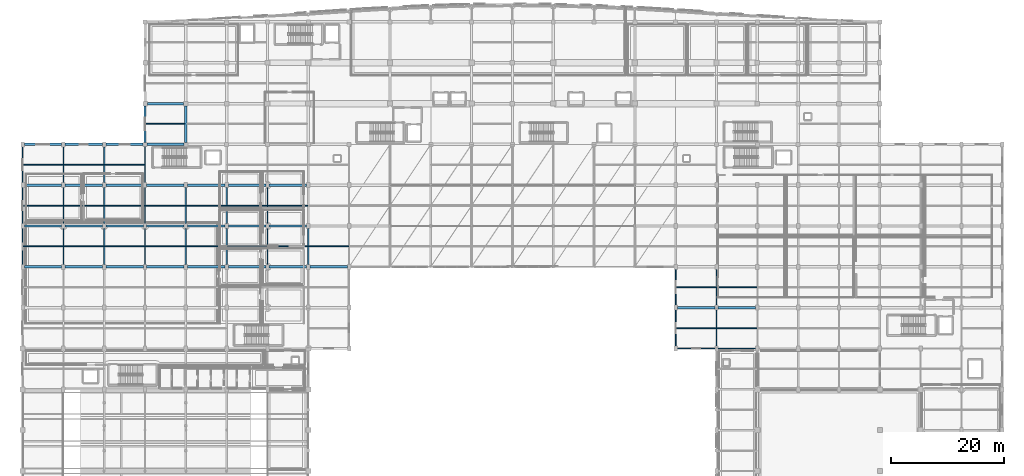
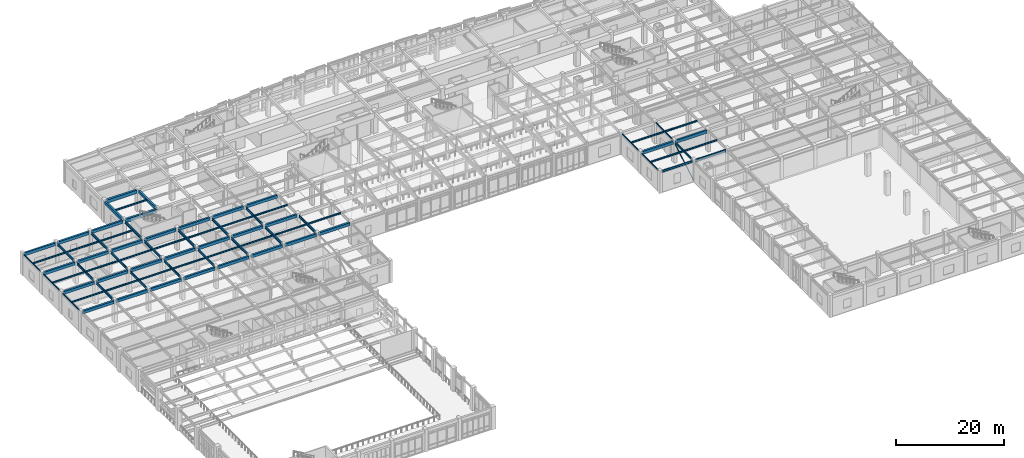
# One storey, part 24 of 117: 79 beams, 1 member.
"""IFC4 building model written with IfcOpenShell, lengths in metres."""

import ifcopenshell
import ifcopenshell.guid

model = None  # the IFC model being written
_history = None  # IfcOwnerHistory: only IFC2X3 demands one
_inside = {}  # id of a spatial element -> (the spatial element, [elements in it])
_under = {}  # id of a project, library or spatial element -> (it, [spatial elements below it])
_declared = {}  # id of a project -> (the project, [libraries it declares])
_typed = {}  # id of a type object -> (the type object, [elements of that type])
_made_of = {}  # id of a material, layer set ... -> (it, [elements and type objects made of it])


def new_model(schema):
    """Start an empty IFC model of exactly this schema.

    Asked for "IFC4X3", IfcOpenShell would pick the latest addendum, in which some entities
    have other attributes; the version numbers below select the first issue.
    IFC2X3 requires an IfcOwnerHistory on every rooted entity: one is made here for all.
    """
    global model, _history
    if schema == "IFC4X3":
        model = ifcopenshell.file(schema_version=(4, 3, 0, 0))
    else:
        model = ifcopenshell.file(schema=schema)
    _inside.clear()
    _under.clear()
    _declared.clear()
    _typed.clear()
    _made_of.clear()
    _history = None
    if model.schema == "IFC2X3":
        org = make("IfcOrganization", Name="unknown")
        user = make(
            "IfcPersonAndOrganization",
            ThePerson=make("IfcPerson", FamilyName="unknown"),
            TheOrganization=org,
        )
        app = make(
            "IfcApplication",
            ApplicationDeveloper=org,
            Version="unknown",
            ApplicationFullName="unknown",
            ApplicationIdentifier="unknown",
        )
        _history = make(
            "IfcOwnerHistory",
            OwningUser=user,
            OwningApplication=app,
            ChangeAction="ADDED",
            CreationDate=0,
        )
    return model


def make(cls, **values):
    """One entity of the class cls with the attributes given. An attribute that is None is left unset."""
    return model.create_entity(
        cls, **{name: value for name, value in values.items() if value is not None}
    )


def rooted(cls, **values):
    """An entity with a GlobalId (a new one), such as an element, a storey or a relation."""
    return make(cls, GlobalId=ifcopenshell.guid.new(), OwnerHistory=_history, **values)


def si_unit(unit_type, name, prefix=None):
    """IfcSIUnit, for example si_unit("LENGTHUNIT", "METRE", prefix="MILLI")."""
    return make("IfcSIUnit", UnitType=unit_type, Prefix=prefix, Name=name)


def assignment(units):
    """IfcUnitAssignment: the units of a project."""
    return None if units is None else make("IfcUnitAssignment", Units=units)


def point(xyz):
    """IfcCartesianPoint."""
    return None if xyz is None else make("IfcCartesianPoint", Coordinates=xyz)


def direction(xyz):
    """IfcDirection."""
    return None if xyz is None else make("IfcDirection", DirectionRatios=xyz)


def frame(location, z_axis=None, x_axis=None):
    """IfcAxis2Placement3D, a coordinate frame: its origin and axes. An axis left out is left unset."""
    return make(
        "IfcAxis2Placement3D",
        Location=point(location),
        Axis=direction(z_axis),
        RefDirection=direction(x_axis),
    )


def frame_2d(location, x_axis=None):
    """IfcAxis2Placement2D, a coordinate frame in the plane: its origin and x axis."""
    return make(
        "IfcAxis2Placement2D", Location=point(location), RefDirection=direction(x_axis)
    )


def origin():
    """The frame at (0, 0, 0) with its axes left unset."""
    return frame((0.0, 0.0, 0.0))


def origin_2d():
    """The frame at (0, 0) in the plane with its x axis left unset."""
    return frame_2d((0.0, 0.0))


def place(relative_to, where):
    """IfcLocalPlacement: puts the frame where relative to a parent placement (None: the world)."""
    return make(
        "IfcLocalPlacement", PlacementRelTo=relative_to, RelativePlacement=where
    )


def context(
    kind, dimensions, precision=None, world=None, true_north=None, identifier=None
):
    """IfcGeometricRepresentationContext, for example the 3D "Model" context."""
    return make(
        "IfcGeometricRepresentationContext",
        ContextIdentifier=identifier,
        ContextType=kind,
        CoordinateSpaceDimension=dimensions,
        Precision=precision,
        WorldCoordinateSystem=world,
        TrueNorth=true_north,
    )


def subcontext(parent, identifier, kind, view, scale=None):
    """IfcGeometricRepresentationSubContext, for example "Body" below "Model"."""
    return make(
        "IfcGeometricRepresentationSubContext",
        ContextIdentifier=identifier,
        ContextType=kind,
        ParentContext=parent,
        TargetScale=scale,
        TargetView=view,
    )


def project(units=None, contexts=None):
    """IfcProject with its units and contexts."""
    return rooted(
        "IfcProject",
        Name="project",
        RepresentationContexts=contexts,
        UnitsInContext=assignment(units),
    )


def spatial(cls, under=None, at=None, **own):
    """A site, building, storey or space (cls), placed at a placement, below another one or the project."""
    s = rooted(cls, ObjectPlacement=at, **own)
    if under is not None:
        _under.setdefault(under.id(), (under, []))[1].append(s)
    return s


def profile(cls, at=None, kind="AREA", **sizes):
    """A parametric profile (cls). Its sizes go by their IFC names, for example OverallWidth=200.0."""
    return make(cls, ProfileType=kind, Position=at, **sizes)


def rectangle(**sizes):
    """IfcRectangleProfileDef."""
    return profile("IfcRectangleProfileDef", **sizes)


def hollow_rectangle(**sizes):
    """IfcRectangleHollowProfileDef."""
    return profile("IfcRectangleHollowProfileDef", **sizes)


def i_section(**sizes):
    """IfcIShapeProfileDef."""
    return profile("IfcIShapeProfileDef", **sizes)


def extrude(swept, where, along, depth):
    """IfcExtrudedAreaSolid: the profile swept, set in the frame where, extruded along a direction by depth."""
    return make(
        "IfcExtrudedAreaSolid",
        SweptArea=swept,
        Position=where,
        ExtrudedDirection=direction(along),
        Depth=depth,
    )


def shape(context_of_items, identifier, shape_type, items):
    """IfcShapeRepresentation: the items that make up one representation, for example the "Body"."""
    return make(
        "IfcShapeRepresentation",
        ContextOfItems=context_of_items,
        RepresentationIdentifier=identifier,
        RepresentationType=shape_type,
        Items=items,
    )


def material(Name=None, Category=None):
    """IfcMaterial."""
    return make("IfcMaterial", Name=Name, Category=Category)


def material_profile(
    of_material, cross_section, Name=None, Category=None, Priority=None
):
    """IfcMaterialProfile: a cross section and its material."""
    return make(
        "IfcMaterialProfile",
        Name=Name,
        Material=of_material,
        Profile=cross_section,
        Priority=Priority,
        Category=Category,
    )


def profile_set(profiles, Name=None, composite=None):
    """IfcMaterialProfileSet."""
    return make(
        "IfcMaterialProfileSet",
        Name=Name,
        MaterialProfiles=profiles,
        CompositeProfile=composite,
    )


def made_of(thing, what):
    """Note that an element or type object is made of a material, layer set ...; save() writes the relation."""
    if what is not None:
        _made_of.setdefault(what.id(), (what, []))[1].append(thing)
    return thing


def type_object(cls, material=None, **own):
    """A type object (cls), such as IfcWallType, which elements share."""
    return made_of(rooted(cls, **own), material)


def element(
    cls,
    number,
    at=None,
    inside=None,
    cuts=None,
    type_object=None,
    material=None,
    context=None,
    identifier="Body",
    shape_type=None,
    held_by="IfcProductDefinitionShape",
    body=None,
    shapes=None,
    **own,
):
    """One element of the class cls, such as IfcWall. Its Tag is "e" and its number.

    at: its placement. inside: the storey or other place that contains it. cuts: it is an
    opening in that element (IfcRelVoidsElement). A single representation is given by context,
    identifier, shape_type and body (its items); several are given by shapes. held_by: the class
    of the entity that holds the representations. save() writes the other relations.
    """
    e = rooted(cls, Tag="e%d" % number, ObjectPlacement=at, **own)
    if body is not None:
        shapes = [shape(context, identifier, shape_type, body)]
    if shapes is not None:
        e.Representation = make(held_by, Representations=shapes)
    if inside is not None:
        _inside.setdefault(inside.id(), (inside, []))[1].append(e)
    if cuts is not None:
        rooted(
            "IfcRelVoidsElement", RelatingBuildingElement=cuts, RelatedOpeningElement=e
        )
    if type_object is not None:
        _typed.setdefault(type_object.id(), (type_object, []))[1].append(e)
    return made_of(e, material)


def aggregate(whole, parts):
    """IfcRelAggregates: a whole, such as a stair, and the parts it consists of."""
    return rooted("IfcRelAggregates", RelatingObject=whole, RelatedObjects=parts)


def save(model, path):
    """Write the relations noted so far, then the file.

    IfcRelAggregates (storeys below a building ...), IfcRelContainedInSpatialStructure (elements
    in a storey), IfcRelDefinesByType, IfcRelAssociatesMaterial and IfcRelDeclares: one each for
    every whole, place, type object, material and project.
    """
    for whole, parts in _under.values():
        aggregate(whole, parts)
    for where, things in _inside.values():
        rooted(
            "IfcRelContainedInSpatialStructure",
            RelatedElements=things,
            RelatingStructure=where,
        )
    for kind, things in _typed.values():
        rooted("IfcRelDefinesByType", RelatedObjects=things, RelatingType=kind)
    for what, things in _made_of.values():
        rooted("IfcRelAssociatesMaterial", RelatedObjects=things, RelatingMaterial=what)
    for by, libraries in _declared.values():
        rooted("IfcRelDeclares", RelatingContext=by, RelatedDefinitions=libraries)
    model.write(path)


model = new_model("IFC4")

# Units and contexts
model_context = context("Model", 3, precision=1e-05, world=origin(), true_north=direction((0.0, 1.0)))
body_context = subcontext(model_context, "Body", "Model", "MODEL_VIEW")
ifc_project = project(units=[si_unit("LENGTHUNIT", "METRE"), si_unit("AREAUNIT", "SQUARE_METRE"), si_unit("VOLUMEUNIT", "CUBIC_METRE"), si_unit("PLANEANGLEUNIT", "RADIAN"), si_unit("MASSUNIT", "GRAM", prefix="KILO")], contexts=[model_context])

# Site, building, storey
site_placement = place(None, origin())
site = spatial("IfcSite", under=ifc_project, at=site_placement, CompositionType="ELEMENT")
building_placement = place(site_placement, origin())
building = spatial("IfcBuilding", under=site, at=building_placement, Name="Carrowvane Square Congress Hotel", CompositionType="ELEMENT")
storey_placement = place(building_placement, frame((0.0, 0.0, 5.39990234375)))
storey = spatial("IfcBuildingStorey", under=building, at=storey_placement, Name="L01", CompositionType="ELEMENT", Elevation=5.39990234375)

# Beams
ifc_material_1 = material(Name="Concrete C35/45", Category="concrete")
ifc_material_profile_1 = material_profile(ifc_material_1, rectangle(XDim=0.39990234375, YDim=0.64990234375, at=origin_2d()), Name="RC 400x650")
ifc_profile_set_1 = profile_set([ifc_material_profile_1], Name="Concrete C35/45")
beam_type_1 = type_object("IfcBeamType", Name="BM-RC-400x650", PredefinedType="BEAM", material=ifc_profile_set_1)
for number, where, z_axis, x_axis, name in (
    (1, (127.10009765625, 63.0, 4.455078125), (1.0, 0.0, 0.0), (0.0, 1.0, 0.0), "L02 girder J/17-18"),
    (2, (134.300048828125, 63.0, 4.455078125), (1.0, 0.0, 0.0), (0.0, 1.0, 0.0), "L02 girder J/18-19"),
):
    element("IfcBeam", number, at=place(storey_placement, frame(where, z_axis=z_axis, x_axis=x_axis)), inside=storey, type_object=beam_type_1, Name=name, PredefinedType="BEAM", context=body_context, shape_type="SweptSolid", body=[
        extrude(rectangle(XDim=0.39990234375, YDim=0.64990234375, at=origin_2d()), origin(), (0.0, 0.0, 1.0), 6.599853515625),
    ])
beam_1_placement = place(storey_placement, frame((11.89990234375, 70.199951171875, 4.455078125), z_axis=(1.0, 0.0, 0.0), x_axis=(0.0, 1.0, 0.0)))
element("IfcBeam", 3, at=beam_1_placement, inside=storey, type_object=beam_type_1, Name="L02 girder K/1-2", PredefinedType="BEAM", context=body_context, shape_type="SweptSolid", body=[
    extrude(rectangle(XDim=0.39990234375, YDim=0.64990234375, at=origin_2d()), origin(), (0.0, 0.0, 1.0), 6.60009765625),
])
for number, where, z_axis, x_axis, name in (
    (4, (19.10009765625, 70.199951171875, 4.455078125), (1.0, 0.0, 0.0), (0.0, 1.0, 0.0), "L02 girder K/2-3"),
    (5, (26.300048828125, 70.199951171875, 4.455078125), (1.0, 0.0, 0.0), (0.0, 1.0, 0.0), "L02 girder K/3-4"),
):
    element("IfcBeam", number, at=place(storey_placement, frame(where, z_axis=z_axis, x_axis=x_axis)), inside=storey, type_object=beam_type_1, Name=name, PredefinedType="BEAM", context=body_context, shape_type="SweptSolid", body=[
        extrude(rectangle(XDim=0.39990234375, YDim=0.64990234375, at=origin_2d()), origin(), (0.0, 0.0, 1.0), 6.599853515625),
    ])
for number, where, z_axis, x_axis, name in (
    (6, (33.5, 70.199951171875, 4.455078125), (1.0, 0.0, 0.0), (0.0, 1.0, 0.0), "L02 girder K/4-5"),
    (7, (40.699951171875, 70.199951171875, 4.455078125), (1.0, 0.0, 0.0), (0.0, 1.0, 0.0), "L02 girder K/5-6"),
    (8, (47.89990234375, 70.199951171875, 4.455078125), (1.0, 0.0, 0.0), (0.0, 1.0, 0.0), "L02 girder K/6-7"),
):
    element("IfcBeam", number, at=place(storey_placement, frame(where, z_axis=z_axis, x_axis=x_axis)), inside=storey, type_object=beam_type_1, Name=name, PredefinedType="BEAM", context=body_context, shape_type="SweptSolid", body=[
        extrude(rectangle(XDim=0.39990234375, YDim=0.64990234375, at=origin_2d()), origin(), (0.0, 0.0, 1.0), 6.60009765625),
    ])
for number, where, z_axis, x_axis, name in (
    (9, (55.10009765625, 70.199951171875, 4.455078125), (1.0, 0.0, 0.0), (0.0, 1.0, 0.0), "L02 girder K/7-8"),
    (10, (62.300048828125, 70.199951171875, 4.455078125), (1.0, 0.0, 0.0), (0.0, 1.0, 0.0), "L02 girder K/8-9"),
):
    element("IfcBeam", number, at=place(storey_placement, frame(where, z_axis=z_axis, x_axis=x_axis)), inside=storey, type_object=beam_type_1, Name=name, PredefinedType="BEAM", context=body_context, shape_type="SweptSolid", body=[
        extrude(rectangle(XDim=0.39990234375, YDim=0.64990234375, at=origin_2d()), origin(), (0.0, 0.0, 1.0), 6.599853515625),
    ])
beam_2_placement = place(storey_placement, frame((11.89990234375, 77.39990234375, 4.455078125), z_axis=(1.0, 0.0, 0.0), x_axis=(0.0, 1.0, 0.0)))
element("IfcBeam", 11, at=beam_2_placement, inside=storey, type_object=beam_type_1, Name="L02 girder L/1-2", PredefinedType="BEAM", context=body_context, shape_type="SweptSolid", body=[
    extrude(rectangle(XDim=0.39990234375, YDim=0.64990234375, at=origin_2d()), origin(), (0.0, 0.0, 1.0), 6.60009765625),
])
for number, where, z_axis, x_axis, name in (
    (12, (19.10009765625, 77.39990234375, 4.455078125), (1.0, 0.0, 0.0), (0.0, 1.0, 0.0), "L02 girder L/2-3"),
    (13, (26.300048828125, 77.39990234375, 4.455078125), (1.0, 0.0, 0.0), (0.0, 1.0, 0.0), "L02 girder L/3-4"),
):
    element("IfcBeam", number, at=place(storey_placement, frame(where, z_axis=z_axis, x_axis=x_axis)), inside=storey, type_object=beam_type_1, Name=name, PredefinedType="BEAM", context=body_context, shape_type="SweptSolid", body=[
        extrude(rectangle(XDim=0.39990234375, YDim=0.64990234375, at=origin_2d()), origin(), (0.0, 0.0, 1.0), 6.599853515625),
    ])
for number, where, z_axis, x_axis, name in (
    (14, (33.5, 77.39990234375, 4.455078125), (1.0, 0.0, 0.0), (0.0, 1.0, 0.0), "L02 girder L/4-5"),
    (15, (40.699951171875, 77.39990234375, 4.455078125), (1.0, 0.0, 0.0), (0.0, 1.0, 0.0), "L02 girder L/5-6"),
    (16, (47.89990234375, 77.39990234375, 4.455078125), (1.0, 0.0, 0.0), (0.0, 1.0, 0.0), "L02 girder L/6-7"),
):
    element("IfcBeam", number, at=place(storey_placement, frame(where, z_axis=z_axis, x_axis=x_axis)), inside=storey, type_object=beam_type_1, Name=name, PredefinedType="BEAM", context=body_context, shape_type="SweptSolid", body=[
        extrude(rectangle(XDim=0.39990234375, YDim=0.64990234375, at=origin_2d()), origin(), (0.0, 0.0, 1.0), 6.60009765625),
    ])
beam_3_placement = place(storey_placement, frame((55.10009765625, 77.39990234375, 4.455078125), z_axis=(1.0, 0.0, 0.0), x_axis=(0.0, 1.0, 0.0)))
element("IfcBeam", 17, at=beam_3_placement, inside=storey, type_object=beam_type_1, Name="L02 girder L/7-8", PredefinedType="BEAM", context=body_context, shape_type="SweptSolid", body=[
    extrude(rectangle(XDim=0.39990234375, YDim=0.64990234375, at=origin_2d()), origin(), (0.0, 0.0, 1.0), 6.599853515625),
])
beam_4_placement = place(storey_placement, frame((11.89990234375, 84.60009765625, 4.455078125), z_axis=(1.0, 0.0, 0.0), x_axis=(0.0, 1.0, 0.0)))
element("IfcBeam", 18, at=beam_4_placement, inside=storey, type_object=beam_type_1, Name="L02 girder M/1-2", PredefinedType="BEAM", context=body_context, shape_type="SweptSolid", body=[
    extrude(rectangle(XDim=0.39990234375, YDim=0.64990234375, at=origin_2d()), origin(), (0.0, 0.0, 1.0), 6.60009765625),
])
for number, where, z_axis, x_axis, name in (
    (19, (19.10009765625, 84.60009765625, 4.455078125), (1.0, 0.0, 0.0), (0.0, 1.0, 0.0), "L02 girder M/2-3"),
    (20, (26.300048828125, 84.60009765625, 4.455078125), (1.0, 0.0, 0.0), (0.0, 1.0, 0.0), "L02 girder M/3-4"),
):
    element("IfcBeam", number, at=place(storey_placement, frame(where, z_axis=z_axis, x_axis=x_axis)), inside=storey, type_object=beam_type_1, Name=name, PredefinedType="BEAM", context=body_context, shape_type="SweptSolid", body=[
        extrude(rectangle(XDim=0.39990234375, YDim=0.64990234375, at=origin_2d()), origin(), (0.0, 0.0, 1.0), 6.599853515625),
    ])
for number, where, z_axis, x_axis, name in (
    (21, (33.5, 84.60009765625, 4.455078125), (1.0, 0.0, 0.0), (0.0, 1.0, 0.0), "L02 girder M/4-5"),
    (22, (40.699951171875, 84.60009765625, 4.455078125), (1.0, 0.0, 0.0), (0.0, 1.0, 0.0), "L02 girder M/5-6"),
    (23, (47.89990234375, 84.60009765625, 4.455078125), (1.0, 0.0, 0.0), (0.0, 1.0, 0.0), "L02 girder M/6-7"),
):
    element("IfcBeam", number, at=place(storey_placement, frame(where, z_axis=z_axis, x_axis=x_axis)), inside=storey, type_object=beam_type_1, Name=name, PredefinedType="BEAM", context=body_context, shape_type="SweptSolid", body=[
        extrude(rectangle(XDim=0.39990234375, YDim=0.64990234375, at=origin_2d()), origin(), (0.0, 0.0, 1.0), 6.60009765625),
    ])
beam_5_placement = place(storey_placement, frame((55.10009765625, 84.60009765625, 4.455078125), z_axis=(1.0, 0.0, 0.0), x_axis=(0.0, 1.0, 0.0)))
element("IfcBeam", 24, at=beam_5_placement, inside=storey, type_object=beam_type_1, Name="L02 girder M/7-8", PredefinedType="BEAM", context=body_context, shape_type="SweptSolid", body=[
    extrude(rectangle(XDim=0.39990234375, YDim=0.64990234375, at=origin_2d()), origin(), (0.0, 0.0, 1.0), 6.599853515625),
])
beam_6_placement = place(storey_placement, frame((11.89990234375, 91.800048828125, 4.455078125), z_axis=(1.0, 0.0, 0.0), x_axis=(0.0, 1.0, 0.0)))
element("IfcBeam", 25, at=beam_6_placement, inside=storey, type_object=beam_type_1, Name="L02 girder N/1-2", PredefinedType="BEAM", context=body_context, shape_type="SweptSolid", body=[
    extrude(rectangle(XDim=0.39990234375, YDim=0.64990234375, at=origin_2d()), origin(), (0.0, 0.0, 1.0), 6.60009765625),
])
beam_7_placement = place(storey_placement, frame((19.10009765625, 91.800048828125, 4.455078125), z_axis=(1.0, 0.0, 0.0), x_axis=(0.0, 1.0, 0.0)))
element("IfcBeam", 26, at=beam_7_placement, inside=storey, type_object=beam_type_1, Name="L02 girder N/2-3", PredefinedType="BEAM", context=body_context, shape_type="SweptSolid", body=[
    extrude(rectangle(XDim=0.39990234375, YDim=0.64990234375, at=origin_2d()), origin(), (0.0, 0.0, 1.0), 6.599853515625),
])
beam_8_placement = place(storey_placement, frame((26.300048828125, 91.800048828125, 4.455078125), z_axis=(1.0, 0.0, 0.0), x_axis=(0.0, 1.0, 0.0)))
element("IfcBeam", 27, at=beam_8_placement, inside=storey, type_object=beam_type_1, Name="L02 girder N/3-4", PredefinedType="BEAM", context=body_context, shape_type="SweptSolid", body=[
    extrude(rectangle(XDim=0.39990234375, YDim=0.64990234375, at=origin_2d()), origin(), (0.0, 0.0, 1.0), 6.550048828125),
])
for number, where, z_axis, x_axis, name in (
    (28, (33.199951171875, 92.14990234375, 4.455078125), (0.0, 1.0, 0.0), (-1.0, 0.0, 0.0), "L02 girder 4/N-P"),
    (29, (40.39990234375, 92.14990234375, 4.455078125), (0.0, 1.0, 0.0), (-1.0, 0.0, 0.0), "L02 girder 5/N-P"),
):
    element("IfcBeam", number, at=place(storey_placement, frame(where, z_axis=z_axis, x_axis=x_axis)), inside=storey, type_object=beam_type_1, Name=name, PredefinedType="BEAM", context=body_context, shape_type="SweptSolid", body=[
        extrude(rectangle(XDim=0.39990234375, YDim=0.64990234375, at=origin_2d()), origin(), (0.0, 0.0, 1.0), 6.4501953125),
    ])
ifc_material_2 = material(Name="Concrete C35/45", Category="concrete")
ifc_material_profile_2 = material_profile(ifc_material_2, rectangle(XDim=0.449951171875, YDim=0.75, at=origin_2d()), Name="RC 450x750")
ifc_profile_set_2 = profile_set([ifc_material_profile_2], Name="Concrete C35/45")
beam_type_2 = type_object("IfcBeamType", Name="BM-RC-450x750", PredefinedType="USERDEFINED", material=ifc_profile_set_2)
beam_9_placement = place(storey_placement, frame((33.550048828125, 91.800048828125, 4.405029296875), z_axis=(1.0, 0.0, 0.0), x_axis=(0.0, 1.0, 0.0)))
element("IfcBeam", 30, at=beam_9_placement, inside=storey, type_object=beam_type_2, Name="L02 girder N/4-5", ObjectType="GIRDER", PredefinedType="USERDEFINED", context=body_context, shape_type="SweptSolid", body=[
    extrude(rectangle(XDim=0.449951171875, YDim=0.75, at=origin_2d()), origin(), (0.0, 0.0, 1.0), 6.5),
])
beam_10_placement = place(storey_placement, frame((33.60009765625, 99.0, 4.405029296875), z_axis=(1.0, 0.0, 0.0), x_axis=(0.0, 1.0, 0.0)))
element("IfcBeam", 31, at=beam_10_placement, inside=storey, type_object=beam_type_2, Name="L02 girder P/4-5", ObjectType="GIRDER", PredefinedType="USERDEFINED", context=body_context, shape_type="SweptSolid", body=[
    extrude(rectangle(XDim=0.449951171875, YDim=0.75, at=origin_2d()), origin(), (0.0, 0.0, 1.0), 6.39990234375),
])
ifc_material_3 = material(Name="Steel S355", Category="steel")
ifc_material_profile_3 = material_profile(ifc_material_3, hollow_rectangle(XDim=0.14990234375, YDim=0.25, WallThickness=0.012451171875, at=origin_2d()), Name="RHS 250x150x12.5")
ifc_profile_set_3 = profile_set([ifc_material_profile_3], Name="Steel S355")
beam_type_3 = type_object("IfcBeamType", Name="BM-ST-RHS250", PredefinedType="SPANDREL", material=ifc_profile_set_3)
beam_11_placement = place(storey_placement, frame((11.60009765625, 70.64990234375, 4.655029296875), z_axis=(0.0, 1.0, 0.0), x_axis=(-1.0, 0.0, 0.0)))
element("IfcBeam", 32, at=beam_11_placement, inside=storey, type_object=beam_type_3, Name="L02 girder 1/K-L", PredefinedType="SPANDREL", context=body_context, shape_type="SweptSolid", body=[
    extrude(hollow_rectangle(XDim=0.14990234375, YDim=0.25, WallThickness=0.012451171875, at=origin_2d()), origin(), (0.0, 0.0, 1.0), 6.300048828125),
])
beam_12_placement = place(storey_placement, frame((11.60009765625, 77.85009765625, 4.655029296875), z_axis=(0.0, 1.0, 0.0), x_axis=(-1.0, 0.0, 0.0)))
element("IfcBeam", 33, at=beam_12_placement, inside=storey, type_object=beam_type_3, Name="L02 girder 1/L-M", PredefinedType="SPANDREL", context=body_context, shape_type="SweptSolid", body=[
    extrude(hollow_rectangle(XDim=0.14990234375, YDim=0.25, WallThickness=0.012451171875, at=origin_2d()), origin(), (0.0, 0.0, 1.0), 6.2998046875),
])
for number, where, z_axis, x_axis, name in (
    (34, (11.60009765625, 85.050048828125, 4.655029296875), (0.0, 1.0, 0.0), (-1.0, 0.0, 0.0), "L02 girder 1/M-N"),
    (35, (126.800048828125, 56.25, 4.655029296875), (0.0, 1.0, 0.0), (-1.0, 0.0, 0.0), "L02 girder 17/H-J"),
    (36, (126.800048828125, 63.449951171875, 4.655029296875), (0.0, 1.0, 0.0), (-1.0, 0.0, 0.0), "L02 girder 17/J-K"),
    (37, (134.0, 63.449951171875, 4.655029296875), (0.0, 1.0, 0.0), (-1.0, 0.0, 0.0), "L02 girder 18/J-K"),
):
    element("IfcBeam", number, at=place(storey_placement, frame(where, z_axis=z_axis, x_axis=x_axis)), inside=storey, type_object=beam_type_3, Name=name, PredefinedType="SPANDREL", context=body_context, shape_type="SweptSolid", body=[
        extrude(hollow_rectangle(XDim=0.14990234375, YDim=0.25, WallThickness=0.012451171875, at=origin_2d()), origin(), (0.0, 0.0, 1.0), 6.300048828125),
    ])
ifc_material_4 = material(Name="Steel S355", Category="steel")
ifc_material_profile_4 = material_profile(ifc_material_4, i_section(OverallWidth=0.172119140625, OverallDepth=0.35791015625, WebThickness=0.008056640625, FlangeThickness=0.012939453125, FilletRadius=0.01025390625, at=origin_2d()), Name="UKB 356x171x57")
ifc_profile_set_4 = profile_set([ifc_material_profile_4], Name="Steel S355")
beam_type_4 = type_object("IfcBeamType", Name="BM-ST-UKB356", PredefinedType="JOIST", material=ifc_profile_set_4)
for number, where, z_axis, x_axis, name in (
    (38, (11.675048828125, 73.800048828125, 4.60107421875), (1.0, 0.0, 0.0), (0.0, 1.0, 0.0), "L02 secondary joist 1-2"),
    (39, (11.675048828125, 81.0, 4.60107421875), (1.0, 0.0, 0.0), (0.0, 1.0, 0.0), "L02 secondary joist 1-2"),
    (40, (11.675048828125, 88.199951171875, 4.60107421875), (1.0, 0.0, 0.0), (0.0, 1.0, 0.0), "L02 secondary joist 1-2"),
):
    element("IfcBeam", number, at=place(storey_placement, frame(where, z_axis=z_axis, x_axis=x_axis)), inside=storey, type_object=beam_type_4, Name=name, PredefinedType="JOIST", context=body_context, shape_type="SweptSolid", body=[
        extrude(i_section(OverallWidth=0.172119140625, OverallDepth=0.35791015625, WebThickness=0.008056640625, FlangeThickness=0.012939453125, FilletRadius=0.01025390625, at=origin_2d()), origin(), (0.0, 0.0, 1.0), 7.02001953125),
    ])
for number, where, z_axis, x_axis, name in (
    (41, (18.905029296875, 73.800048828125, 4.60107421875), (1.0, 0.0, 0.0), (0.0, 1.0, 0.0), "L02 secondary joist 2-3"),
    (42, (18.905029296875, 81.0, 4.60107421875), (1.0, 0.0, 0.0), (0.0, 1.0, 0.0), "L02 secondary joist 2-3"),
    (43, (18.905029296875, 88.199951171875, 4.60107421875), (1.0, 0.0, 0.0), (0.0, 1.0, 0.0), "L02 secondary joist 2-3"),
    (44, (26.10498046875, 73.800048828125, 4.60107421875), (1.0, 0.0, 0.0), (0.0, 1.0, 0.0), "L02 secondary joist 3-4"),
    (45, (26.10498046875, 81.0, 4.60107421875), (1.0, 0.0, 0.0), (0.0, 1.0, 0.0), "L02 secondary joist 3-4"),
    (46, (26.10498046875, 88.199951171875, 4.60107421875), (1.0, 0.0, 0.0), (0.0, 1.0, 0.0), "L02 secondary joist 3-4"),
    (47, (33.304931640625, 73.800048828125, 4.60107421875), (1.0, 0.0, 0.0), (0.0, 1.0, 0.0), "L02 secondary joist 4-5"),
    (48, (33.304931640625, 81.0, 4.60107421875), (1.0, 0.0, 0.0), (0.0, 1.0, 0.0), "L02 secondary joist 4-5"),
):
    element("IfcBeam", number, at=place(storey_placement, frame(where, z_axis=z_axis, x_axis=x_axis)), inside=storey, type_object=beam_type_4, Name=name, PredefinedType="JOIST", context=body_context, shape_type="SweptSolid", body=[
        extrude(i_section(OverallWidth=0.172119140625, OverallDepth=0.35791015625, WebThickness=0.008056640625, FlangeThickness=0.012939453125, FilletRadius=0.01025390625, at=origin_2d()), origin(), (0.0, 0.0, 1.0), 6.989990234375),
    ])
beam_13_placement = place(storey_placement, frame((33.39990234375, 95.39990234375, 4.60107421875), z_axis=(1.0, 0.0, 0.0), x_axis=(0.0, 1.0, 0.0)))
element("IfcBeam", 49, at=beam_13_placement, inside=storey, type_object=beam_type_4, Name="L02 secondary joist 4-5", PredefinedType="JOIST", context=body_context, shape_type="SweptSolid", body=[
    extrude(i_section(OverallWidth=0.172119140625, OverallDepth=0.35791015625, WebThickness=0.008056640625, FlangeThickness=0.012939453125, FilletRadius=0.01025390625, at=origin_2d()), origin(), (0.0, 0.0, 1.0), 6.800048828125),
])
for number, where, z_axis, x_axis, name in (
    (50, (40.5048828125, 73.800048828125, 4.60107421875), (1.0, 0.0, 0.0), (0.0, 1.0, 0.0), "L02 secondary joist 5-6"),
    (51, (40.5048828125, 81.0, 4.60107421875), (1.0, 0.0, 0.0), (0.0, 1.0, 0.0), "L02 secondary joist 5-6"),
):
    element("IfcBeam", number, at=place(storey_placement, frame(where, z_axis=z_axis, x_axis=x_axis)), inside=storey, type_object=beam_type_4, Name=name, PredefinedType="JOIST", context=body_context, shape_type="SweptSolid", body=[
        extrude(i_section(OverallWidth=0.172119140625, OverallDepth=0.35791015625, WebThickness=0.008056640625, FlangeThickness=0.012939453125, FilletRadius=0.01025390625, at=origin_2d()), origin(), (0.0, 0.0, 1.0), 6.990234375),
    ])
for number, where, z_axis, x_axis, name in (
    (52, (47.705078125, 73.800048828125, 4.60107421875), (1.0, 0.0, 0.0), (0.0, 1.0, 0.0), "L02 secondary joist 6-7"),
    (53, (47.705078125, 81.0, 4.60107421875), (1.0, 0.0, 0.0), (0.0, 1.0, 0.0), "L02 secondary joist 6-7"),
    (54, (54.905029296875, 73.800048828125, 4.60107421875), (1.0, 0.0, 0.0), (0.0, 1.0, 0.0), "L02 secondary joist 7-8"),
    (55, (54.905029296875, 81.0, 4.60107421875), (1.0, 0.0, 0.0), (0.0, 1.0, 0.0), "L02 secondary joist 7-8"),
    (56, (62.10498046875, 73.800048828125, 4.60107421875), (1.0, 0.0, 0.0), (0.0, 1.0, 0.0), "L02 secondary joist 8-9"),
):
    element("IfcBeam", number, at=place(storey_placement, frame(where, z_axis=z_axis, x_axis=x_axis)), inside=storey, type_object=beam_type_4, Name=name, PredefinedType="JOIST", context=body_context, shape_type="SweptSolid", body=[
        extrude(i_section(OverallWidth=0.172119140625, OverallDepth=0.35791015625, WebThickness=0.008056640625, FlangeThickness=0.012939453125, FilletRadius=0.01025390625, at=origin_2d()), origin(), (0.0, 0.0, 1.0), 6.989990234375),
    ])
beam_14_placement = place(storey_placement, frame((126.875, 59.39990234375, 4.60107421875), z_axis=(1.0, 0.0, 0.0), x_axis=(0.0, 1.0, 0.0)))
element("IfcBeam", 57, at=beam_14_placement, inside=storey, type_object=beam_type_4, Name="L02 secondary joist 17-18", PredefinedType="JOIST", context=body_context, shape_type="SweptSolid", body=[
    extrude(i_section(OverallWidth=0.172119140625, OverallDepth=0.35791015625, WebThickness=0.008056640625, FlangeThickness=0.012939453125, FilletRadius=0.01025390625, at=origin_2d()), origin(), (0.0, 0.0, 1.0), 7.029296875),
])
beam_15_placement = place(storey_placement, frame((126.875, 66.60009765625, 4.60107421875), z_axis=(1.0, 0.0, 0.0), x_axis=(0.0, 1.0, 0.0)))
element("IfcBeam", 58, at=beam_15_placement, inside=storey, type_object=beam_type_4, Name="L02 secondary joist 17-18", PredefinedType="JOIST", context=body_context, shape_type="SweptSolid", body=[
    extrude(i_section(OverallWidth=0.172119140625, OverallDepth=0.35791015625, WebThickness=0.008056640625, FlangeThickness=0.012939453125, FilletRadius=0.01025390625, at=origin_2d()), origin(), (0.0, 0.0, 1.0), 7.050048828125),
])
beam_16_placement = place(storey_placement, frame((134.095703125, 59.39990234375, 4.60107421875), z_axis=(1.0, 0.0, 0.0), x_axis=(0.0, 1.0, 0.0)))
element("IfcBeam", 59, at=beam_16_placement, inside=storey, type_object=beam_type_4, Name="L02 secondary joist 18-19", PredefinedType="JOIST", context=body_context, shape_type="SweptSolid", body=[
    extrude(i_section(OverallWidth=0.172119140625, OverallDepth=0.35791015625, WebThickness=0.008056640625, FlangeThickness=0.012939453125, FilletRadius=0.01025390625, at=origin_2d()), origin(), (0.0, 0.0, 1.0), 6.999267578125),
])
beam_17_placement = place(storey_placement, frame((134.074951171875, 66.60009765625, 4.60107421875), z_axis=(1.0, 0.0, 0.0), x_axis=(0.0, 1.0, 0.0)))
element("IfcBeam", 60, at=beam_17_placement, inside=storey, type_object=beam_type_4, Name="L02 secondary joist 18-19", PredefinedType="JOIST", context=body_context, shape_type="SweptSolid", body=[
    extrude(i_section(OverallWidth=0.172119140625, OverallDepth=0.35791015625, WebThickness=0.008056640625, FlangeThickness=0.012939453125, FilletRadius=0.01025390625, at=origin_2d()), origin(), (0.0, 0.0, 1.0), 7.02001953125),
])
ifc_material_5 = material(Name="Steel S355", Category="steel")
ifc_material_profile_5 = material_profile(ifc_material_5, i_section(OverallWidth=0.19140625, OverallDepth=0.4599609375, WebThickness=0.010009765625, FlangeThickness=0.01611328125, FilletRadius=0.01025390625, at=origin_2d()), Name="UKB 457x191x82")
ifc_profile_set_5 = profile_set([ifc_material_profile_5], Name="Steel S355")
beam_type_5 = type_object("IfcBeamType", Name="BM-ST-UKB457", PredefinedType="SPANDREL", material=ifc_profile_set_5)
beam_18_placement = place(storey_placement, frame((127.10009765625, 55.800048828125, 4.550048828125), z_axis=(1.0, 0.0, 0.0), x_axis=(0.0, 1.0, 0.0)))
element("IfcBeam", 61, at=beam_18_placement, inside=storey, type_object=beam_type_5, Name="L02 girder H/17-18", PredefinedType="SPANDREL", context=body_context, shape_type="SweptSolid", body=[
    extrude(i_section(OverallWidth=0.19140625, OverallDepth=0.4599609375, WebThickness=0.010009765625, FlangeThickness=0.01611328125, FilletRadius=0.01025390625, at=origin_2d()), origin(), (0.0, 0.0, 1.0), 6.599853515625),
])
beam_19_placement = place(storey_placement, frame((134.0, 56.25, 4.550048828125), z_axis=(0.0, 1.0, 0.0), x_axis=(-1.0, 0.0, 0.0)))
element("IfcBeam", 62, at=beam_19_placement, inside=storey, type_object=beam_type_5, Name="L02 girder 18/H-J", PredefinedType="SPANDREL", context=body_context, shape_type="SweptSolid", body=[
    extrude(i_section(OverallWidth=0.19140625, OverallDepth=0.4599609375, WebThickness=0.010009765625, FlangeThickness=0.01611328125, FilletRadius=0.01025390625, at=origin_2d()), origin(), (0.0, 0.0, 1.0), 6.300048828125),
])
ifc_material_6 = material(Name="Steel S355", Category="steel")
ifc_material_profile_6 = material_profile(ifc_material_6, i_section(OverallWidth=0.2099609375, OverallDepth=0.53662109375, WebThickness=0.0107421875, FlangeThickness=0.017333984375, FilletRadius=0.0126953125, at=origin_2d()), Name="UKB 533x210x101")
ifc_profile_set_6 = profile_set([ifc_material_profile_6], Name="Steel S355")
beam_type_6 = type_object("IfcBeamType", Name="BM-ST-UKB533", PredefinedType="USERDEFINED", material=ifc_profile_set_6)
beam_20_placement = place(storey_placement, frame((18.800048828125, 70.64990234375, 4.51171875), z_axis=(0.0, 1.0, 0.0), x_axis=(-1.0, 0.0, 0.0)))
element("IfcBeam", 63, at=beam_20_placement, inside=storey, type_object=beam_type_6, Name="L02 girder 2/K-L", ObjectType="GIRDER", PredefinedType="USERDEFINED", context=body_context, shape_type="SweptSolid", body=[
    extrude(i_section(OverallWidth=0.2099609375, OverallDepth=0.53662109375, WebThickness=0.0107421875, FlangeThickness=0.017333984375, FilletRadius=0.0126953125, at=origin_2d()), origin(), (0.0, 0.0, 1.0), 6.300048828125),
])
beam_21_placement = place(storey_placement, frame((18.800048828125, 77.85009765625, 4.51171875), z_axis=(0.0, 1.0, 0.0), x_axis=(-1.0, 0.0, 0.0)))
element("IfcBeam", 64, at=beam_21_placement, inside=storey, type_object=beam_type_6, Name="L02 girder 2/L-M", ObjectType="GIRDER", PredefinedType="USERDEFINED", context=body_context, shape_type="SweptSolid", body=[
    extrude(i_section(OverallWidth=0.2099609375, OverallDepth=0.53662109375, WebThickness=0.0107421875, FlangeThickness=0.017333984375, FilletRadius=0.0126953125, at=origin_2d()), origin(), (0.0, 0.0, 1.0), 6.2998046875),
])
for number, where, z_axis, x_axis, name in (
    (65, (18.800048828125, 85.050048828125, 4.51171875), (0.0, 1.0, 0.0), (-1.0, 0.0, 0.0), "L02 girder 2/M-N"),
    (66, (26.0, 70.64990234375, 4.51171875), (0.0, 1.0, 0.0), (-1.0, 0.0, 0.0), "L02 girder 3/K-L"),
):
    element("IfcBeam", number, at=place(storey_placement, frame(where, z_axis=z_axis, x_axis=x_axis)), inside=storey, type_object=beam_type_6, Name=name, ObjectType="GIRDER", PredefinedType="USERDEFINED", context=body_context, shape_type="SweptSolid", body=[
        extrude(i_section(OverallWidth=0.2099609375, OverallDepth=0.53662109375, WebThickness=0.0107421875, FlangeThickness=0.017333984375, FilletRadius=0.0126953125, at=origin_2d()), origin(), (0.0, 0.0, 1.0), 6.300048828125),
    ])
beam_22_placement = place(storey_placement, frame((26.0, 77.85009765625, 4.51171875), z_axis=(0.0, 1.0, 0.0), x_axis=(-1.0, 0.0, 0.0)))
element("IfcBeam", 67, at=beam_22_placement, inside=storey, type_object=beam_type_6, Name="L02 girder 3/L-M", ObjectType="GIRDER", PredefinedType="USERDEFINED", context=body_context, shape_type="SweptSolid", body=[
    extrude(i_section(OverallWidth=0.2099609375, OverallDepth=0.53662109375, WebThickness=0.0107421875, FlangeThickness=0.017333984375, FilletRadius=0.0126953125, at=origin_2d()), origin(), (0.0, 0.0, 1.0), 6.2998046875),
])
for number, where, z_axis, x_axis, name in (
    (68, (26.0, 85.050048828125, 4.51171875), (0.0, 1.0, 0.0), (-1.0, 0.0, 0.0), "L02 girder 3/M-N"),
    (69, (33.199951171875, 70.64990234375, 4.51171875), (0.0, 1.0, 0.0), (-1.0, 0.0, 0.0), "L02 girder 4/K-L"),
):
    element("IfcBeam", number, at=place(storey_placement, frame(where, z_axis=z_axis, x_axis=x_axis)), inside=storey, type_object=beam_type_6, Name=name, ObjectType="GIRDER", PredefinedType="USERDEFINED", context=body_context, shape_type="SweptSolid", body=[
        extrude(i_section(OverallWidth=0.2099609375, OverallDepth=0.53662109375, WebThickness=0.0107421875, FlangeThickness=0.017333984375, FilletRadius=0.0126953125, at=origin_2d()), origin(), (0.0, 0.0, 1.0), 6.300048828125),
    ])
beam_23_placement = place(storey_placement, frame((33.199951171875, 77.85009765625, 4.51171875), z_axis=(0.0, 1.0, 0.0), x_axis=(-1.0, 0.0, 0.0)))
element("IfcBeam", 70, at=beam_23_placement, inside=storey, type_object=beam_type_6, Name="L02 girder 4/L-M", ObjectType="GIRDER", PredefinedType="USERDEFINED", context=body_context, shape_type="SweptSolid", body=[
    extrude(i_section(OverallWidth=0.2099609375, OverallDepth=0.53662109375, WebThickness=0.0107421875, FlangeThickness=0.017333984375, FilletRadius=0.0126953125, at=origin_2d()), origin(), (0.0, 0.0, 1.0), 6.2998046875),
])
beam_24_placement = place(storey_placement, frame((33.199951171875, 85.050048828125, 4.51171875), z_axis=(0.0, 1.0, 0.0), x_axis=(-1.0, 0.0, 0.0)))
element("IfcBeam", 71, at=beam_24_placement, inside=storey, type_object=beam_type_6, Name="L02 girder 4/M-N", ObjectType="GIRDER", PredefinedType="USERDEFINED", context=body_context, shape_type="SweptSolid", body=[
    extrude(i_section(OverallWidth=0.2099609375, OverallDepth=0.53662109375, WebThickness=0.0107421875, FlangeThickness=0.017333984375, FilletRadius=0.0126953125, at=origin_2d()), origin(), (0.0, 0.0, 1.0), 6.39990234375),
])
beam_25_placement = place(storey_placement, frame((40.39990234375, 70.64990234375, 4.51171875), z_axis=(0.0, 1.0, 0.0), x_axis=(-1.0, 0.0, 0.0)))
element("IfcBeam", 72, at=beam_25_placement, inside=storey, type_object=beam_type_6, Name="L02 girder 5/K-L", ObjectType="GIRDER", PredefinedType="USERDEFINED", context=body_context, shape_type="SweptSolid", body=[
    extrude(i_section(OverallWidth=0.2099609375, OverallDepth=0.53662109375, WebThickness=0.0107421875, FlangeThickness=0.017333984375, FilletRadius=0.0126953125, at=origin_2d()), origin(), (0.0, 0.0, 1.0), 6.300048828125),
])
beam_26_placement = place(storey_placement, frame((40.39990234375, 77.85009765625, 4.51171875), z_axis=(0.0, 1.0, 0.0), x_axis=(-1.0, 0.0, 0.0)))
element("IfcBeam", 73, at=beam_26_placement, inside=storey, type_object=beam_type_6, Name="L02 girder 5/L-M", ObjectType="GIRDER", PredefinedType="USERDEFINED", context=body_context, shape_type="SweptSolid", body=[
    extrude(i_section(OverallWidth=0.2099609375, OverallDepth=0.53662109375, WebThickness=0.0107421875, FlangeThickness=0.017333984375, FilletRadius=0.0126953125, at=origin_2d()), origin(), (0.0, 0.0, 1.0), 6.2998046875),
])
beam_27_placement = place(storey_placement, frame((47.60009765625, 70.64990234375, 4.51171875), z_axis=(0.0, 1.0, 0.0), x_axis=(-1.0, 0.0, 0.0)))
element("IfcBeam", 74, at=beam_27_placement, inside=storey, type_object=beam_type_6, Name="L02 girder 6/K-L", ObjectType="GIRDER", PredefinedType="USERDEFINED", context=body_context, shape_type="SweptSolid", body=[
    extrude(i_section(OverallWidth=0.2099609375, OverallDepth=0.53662109375, WebThickness=0.0107421875, FlangeThickness=0.017333984375, FilletRadius=0.0126953125, at=origin_2d()), origin(), (0.0, 0.0, 1.0), 6.300048828125),
])
beam_28_placement = place(storey_placement, frame((47.60009765625, 77.85009765625, 4.51171875), z_axis=(0.0, 1.0, 0.0), x_axis=(-1.0, 0.0, 0.0)))
element("IfcBeam", 75, at=beam_28_placement, inside=storey, type_object=beam_type_6, Name="L02 girder 6/L-M", ObjectType="GIRDER", PredefinedType="USERDEFINED", context=body_context, shape_type="SweptSolid", body=[
    extrude(i_section(OverallWidth=0.2099609375, OverallDepth=0.53662109375, WebThickness=0.0107421875, FlangeThickness=0.017333984375, FilletRadius=0.0126953125, at=origin_2d()), origin(), (0.0, 0.0, 1.0), 6.2998046875),
])
beam_29_placement = place(storey_placement, frame((54.800048828125, 70.64990234375, 4.51171875), z_axis=(0.0, 1.0, 0.0), x_axis=(-1.0, 0.0, 0.0)))
element("IfcBeam", 76, at=beam_29_placement, inside=storey, type_object=beam_type_6, Name="L02 girder 7/K-L", ObjectType="GIRDER", PredefinedType="USERDEFINED", context=body_context, shape_type="SweptSolid", body=[
    extrude(i_section(OverallWidth=0.2099609375, OverallDepth=0.53662109375, WebThickness=0.0107421875, FlangeThickness=0.017333984375, FilletRadius=0.0126953125, at=origin_2d()), origin(), (0.0, 0.0, 1.0), 6.300048828125),
])
beam_30_placement = place(storey_placement, frame((54.800048828125, 77.85009765625, 4.51171875), z_axis=(0.0, 1.0, 0.0), x_axis=(-1.0, 0.0, 0.0)))
element("IfcBeam", 77, at=beam_30_placement, inside=storey, type_object=beam_type_6, Name="L02 girder 7/L-M", ObjectType="GIRDER", PredefinedType="USERDEFINED", context=body_context, shape_type="SweptSolid", body=[
    extrude(i_section(OverallWidth=0.2099609375, OverallDepth=0.53662109375, WebThickness=0.0107421875, FlangeThickness=0.017333984375, FilletRadius=0.0126953125, at=origin_2d()), origin(), (0.0, 0.0, 1.0), 6.2998046875),
])
beam_31_placement = place(storey_placement, frame((62.0, 70.64990234375, 4.51171875), z_axis=(0.0, 1.0, 0.0), x_axis=(-1.0, 0.0, 0.0)))
element("IfcBeam", 78, at=beam_31_placement, inside=storey, type_object=beam_type_6, Name="L02 girder 8/K-L", ObjectType="GIRDER", PredefinedType="USERDEFINED", context=body_context, shape_type="SweptSolid", body=[
    extrude(i_section(OverallWidth=0.2099609375, OverallDepth=0.53662109375, WebThickness=0.0107421875, FlangeThickness=0.017333984375, FilletRadius=0.0126953125, at=origin_2d()), origin(), (0.0, 0.0, 1.0), 6.300048828125),
])
ifc_material_7 = material(Name="Steel S355", Category="steel")
ifc_material_profile_7 = material_profile(ifc_material_7, i_section(OverallWidth=0.22900390625, OverallDepth=0.6123046875, WebThickness=0.011962890625, FlangeThickness=0.01953125, FilletRadius=0.0126953125, at=origin_2d()), Name="UKB 610x229x125")
ifc_profile_set_7 = profile_set([ifc_material_profile_7], Name="Steel S355")
beam_type_7 = type_object("IfcBeamType", Name="BM-ST-UKB610A", PredefinedType="USERDEFINED", material=ifc_profile_set_7)
beam_32_placement = place(storey_placement, frame((134.300048828125, 55.800048828125, 4.473876953125), z_axis=(1.0, 0.0, 0.0), x_axis=(0.0, 1.0, 0.0)))
element("IfcBeam", 79, at=beam_32_placement, inside=storey, type_object=beam_type_7, Name="L02 girder H/18-19", ObjectType="GIRDER", PredefinedType="USERDEFINED", context=body_context, shape_type="SweptSolid", body=[
    extrude(i_section(OverallWidth=0.22900390625, OverallDepth=0.6123046875, WebThickness=0.011962890625, FlangeThickness=0.01953125, FilletRadius=0.0126953125, at=origin_2d()), origin(), (0.0, 0.0, 1.0), 6.599853515625),
])

# Member
ifc_material_8 = material(Name="Steel S355", Category="steel")
ifc_material_profile_8 = material_profile(ifc_material_8, hollow_rectangle(XDim=0.14990234375, YDim=0.14990234375, WallThickness=0.010009765625, at=origin_2d()), Name="SHS 150x150x10")
ifc_profile_set_8 = profile_set([ifc_material_profile_8], Name="Steel S355")
member_type = type_object("IfcMemberType", Name="MEM-BR-SHS150", PredefinedType="BRACE", material=ifc_profile_set_8)
member_placement = place(storey_placement, frame((134.0, 55.919921875, 0.150146484375), z_axis=(0.0, 0.857277928215, 0.514853915005), x_axis=(-1.0, 0.0, 0.0)))
element("IfcMember", 80, at=member_placement, inside=storey, type_object=member_type, Name="L01 vertical lateral brace 6", PredefinedType="BRACE", context=body_context, shape_type="SweptSolid", body=[
    extrude(hollow_rectangle(XDim=0.14990234375, YDim=0.14990234375, WallThickness=0.010009765625, at=origin_2d()), origin(), (0.0, 0.0, 1.0), 8.11865234375),
])

save(model, "model.ifc")
